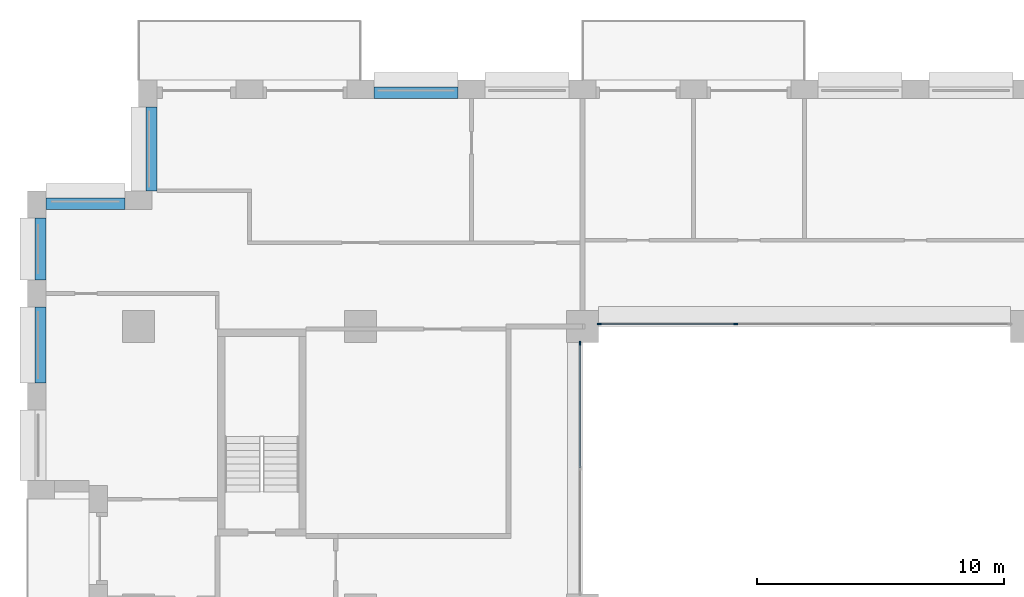
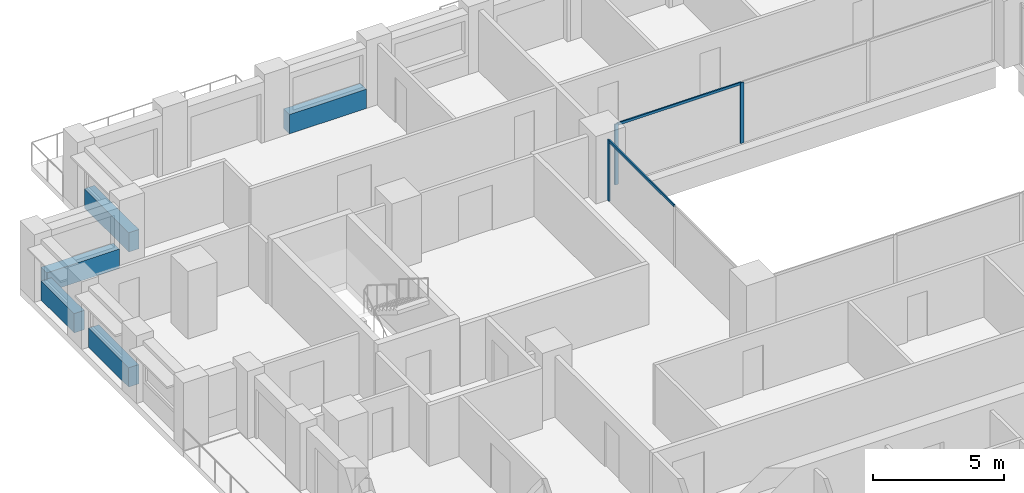
# One storey, part 5 of 16: 5 beams, 5 members, 2 elements without a shape of their own.
"""IFC4 building model written with IfcOpenShell, lengths in metres."""

from ifc_helpers import new_model, si_unit, direction, frame, origin, origin_2d, place, context, subcontext, project, spatial, rectangle, extrude, material, layer, layer_set, material_profile, profile_set, type_object, element, aggregate, save


model = new_model("IFC4")

# Units and contexts
model_context = context("Model", 3, precision=1e-05, world=origin(), true_north=direction((0.0, 1.0)))
body_context = subcontext(model_context, "Body", "Model", "MODEL_VIEW")
ifc_project = project(units=[si_unit("LENGTHUNIT", "METRE"), si_unit("AREAUNIT", "SQUARE_METRE"), si_unit("VOLUMEUNIT", "CUBIC_METRE"), si_unit("PLANEANGLEUNIT", "RADIAN"), si_unit("MASSUNIT", "GRAM", prefix="KILO")], contexts=[model_context])

# Site, building, storey
site_placement = place(None, origin())
site = spatial("IfcSite", under=ifc_project, at=site_placement, CompositionType="ELEMENT")
building_placement = place(site_placement, origin())
building = spatial("IfcBuilding", under=site, at=building_placement, Name="Brigalow Station Residences", CompositionType="ELEMENT")
storey_placement = place(building_placement, frame((0.0, 0.0, 115.050048828125)))
storey = spatial("IfcBuildingStorey", under=building, at=storey_placement, Name="L33", CompositionType="ELEMENT", Elevation=115.050048828125)

# Curtain wall, members
ifc_material_1 = material(Name="Aluminium", Category="aluminium")
ifc_layer = layer(ifc_material_1, 0.14990234375)
ifc_layer_set = layer_set([ifc_layer], Name="ATRIUM FIRE-RATED GLAZING CURTAIN WALL")
curtain_wall_type = type_object("IfcCurtainWallType", Name="ATRIUM FIRE-RATED GLAZING CURTAIN WALL", PredefinedType="NOTDEFINED", material=ifc_layer_set)
curtain_wall_1_placement = place(storey_placement, origin())
curtain_wall_1 = element("IfcCurtainWall", 1, at=curtain_wall_1_placement, inside=storey, type_object=curtain_wall_type, Name="L33/cw/atrium-N", PredefinedType="NOTDEFINED")
ifc_material_2 = material(Name="Aluminium", Category="aluminium")
ifc_material_profile_1 = material_profile(ifc_material_2, rectangle(XDim=0.06005859375, YDim=0.14990234375, at=origin_2d()), Name="ATRIUM FIRE-RATED GLAZING MULLION 60x150")
ifc_profile_set_1 = profile_set([ifc_material_profile_1], Name="Aluminium")
member_type_1 = type_object("IfcMemberType", Name="ATRIUM FIRE-RATED GLAZING MULLION 60x150", PredefinedType="MULLION", material=ifc_profile_set_1)
member_1_placement = place(storey_placement, frame((33.216796875, 35.60009765625, 0.0), z_axis=(0.0, 0.0, 1.0), x_axis=(0.0, -1.0, 0.0)))
member_1 = element("IfcMember", 2, at=member_1_placement, type_object=member_type_1, Name="L33/cw/atrium-N/M02", PredefinedType="MULLION", context=body_context, shape_type="SweptSolid", body=[
    extrude(rectangle(XDim=0.06005859375, YDim=0.14990234375, at=origin_2d()), origin(), (0.0, 0.0, 1.0), 2.829833984375),
])
member_2_placement = place(storey_placement, frame((27.679931640625, 35.60009765625, 0.0), z_axis=(0.0, 0.0, 1.0), x_axis=(0.0, -1.0, 0.0)))
member_2 = element("IfcMember", 3, at=member_2_placement, type_object=member_type_1, Name="L33/cw/atrium-N/M03", PredefinedType="MULLION", context=body_context, shape_type="SweptSolid", body=[
    extrude(rectangle(XDim=0.06005859375, YDim=0.14990234375, at=origin_2d()), origin(), (0.0, 0.0, 1.0), 2.829833984375),
])

# Curtain wall, member
curtain_wall_2_placement = place(storey_placement, origin())
curtain_wall_2 = element("IfcCurtainWall", 4, at=curtain_wall_2_placement, inside=storey, type_object=curtain_wall_type, Name="L33/cw/atrium-W", PredefinedType="NOTDEFINED")
member_3_placement = place(storey_placement, frame((26.89990234375, 34.820068359375, 0.0), z_axis=(0.0, 0.0, 1.0), x_axis=(1.0, 0.0, 0.0)))
member_3 = element("IfcMember", 5, at=member_3_placement, type_object=member_type_1, Name="L33/cw/atrium-W/M00", PredefinedType="MULLION", context=body_context, shape_type="SweptSolid", body=[
    extrude(rectangle(XDim=0.06005859375, YDim=0.14990234375, at=origin_2d()), origin(), (0.0, 0.0, 1.0), 2.829833984375),
])

# Member
ifc_material_3 = material(Name="Aluminium", Category="aluminium")
ifc_material_profile_2 = material_profile(ifc_material_3, rectangle(XDim=0.06005859375, YDim=0.1201171875, at=origin_2d()), Name="ATRIUM FIRE-RATED GLAZING TRANSOM 60x120")
ifc_profile_set_2 = profile_set([ifc_material_profile_2], Name="Aluminium")
member_type_2 = type_object("IfcMemberType", Name="ATRIUM FIRE-RATED GLAZING TRANSOM 60x120", PredefinedType="USERDEFINED", material=ifc_profile_set_2)
member_4_placement = place(storey_placement, frame((33.186767578125, 35.60009765625, 2.800048828125), z_axis=(-1.0, 0.0, 0.0), x_axis=(0.0, -1.0, 0.0)))
member_4 = element("IfcMember", 6, at=member_4_placement, type_object=member_type_2, Name="L33/cw/atrium-N/T02-00", ObjectType="TRANSOM", PredefinedType="USERDEFINED", context=body_context, shape_type="SweptSolid", body=[
    extrude(rectangle(XDim=0.06005859375, YDim=0.1201171875, at=origin_2d()), origin(), (0.0, 0.0, 1.0), 5.476806640625),
])

aggregate(curtain_wall_1, [member_1, member_2, member_4])

member_5_placement = place(storey_placement, frame((26.89990234375, 34.7900390625, 2.800048828125), z_axis=(0.0, -1.0, 0.0), x_axis=(1.0, 0.0, 0.0)))
member_5 = element("IfcMember", 7, at=member_5_placement, type_object=member_type_2, Name="L33/cw/atrium-W/T00-00", ObjectType="TRANSOM", PredefinedType="USERDEFINED", context=body_context, shape_type="SweptSolid", body=[
    extrude(rectangle(XDim=0.06005859375, YDim=0.1201171875, at=origin_2d()), origin(), (0.0, 0.0, 1.0), 5.010009765625),
])

aggregate(curtain_wall_2, [member_3, member_5])

# Beams
ifc_material_4 = material(Name="Concrete C65", Category="concrete")
ifc_material_profile_3 = material_profile(ifc_material_4, rectangle(XDim=0.449951171875, YDim=0.89990234375, at=origin_2d()), Name="RC450x900")
ifc_profile_set_3 = profile_set([ifc_material_profile_3], Name="Concrete C65")
beam_type = type_object("IfcBeamType", Name="SPANDREL BEAM 450x900 C65", PredefinedType="SPANDREL", material=ifc_profile_set_3)
for number, where, z_axis, x_axis, name in (
    (8, (21.949951171875, 44.97509765625, 0.449951171875), (-1.0, 0.0, 0.0), (0.0, -1.0, 0.0), "L33/spandrel/W-L33-34"),
    (9, (9.52490234375, 44.39990234375, 0.449951171875), (0.0, -1.0, 0.0), (1.0, 0.0, 0.0), "L33/spandrel/W-L33-37"),
):
    element("IfcBeam", number, at=place(storey_placement, frame(where, z_axis=z_axis, x_axis=x_axis)), inside=storey, type_object=beam_type, Name=name, PredefinedType="SPANDREL", context=body_context, shape_type="SweptSolid", body=[
        extrude(rectangle(XDim=0.449951171875, YDim=0.89990234375, at=origin_2d()), origin(), (0.0, 0.0, 1.0), 3.39990234375),
    ])
beam_1_placement = place(storey_placement, frame((8.449951171875, 40.47509765625, 0.449951171875), z_axis=(-1.0, 0.0, 0.0), x_axis=(0.0, -1.0, 0.0)))
element("IfcBeam", 10, at=beam_1_placement, inside=storey, type_object=beam_type, Name="L33/spandrel/W-L33-38", PredefinedType="SPANDREL", context=body_context, shape_type="SweptSolid", body=[
    extrude(rectangle(XDim=0.449951171875, YDim=0.89990234375, at=origin_2d()), origin(), (0.0, 0.0, 1.0), 3.199951171875),
])
beam_2_placement = place(storey_placement, frame((5.02490234375, 39.89990234375, 0.449951171875), z_axis=(0.0, -1.0, 0.0), x_axis=(1.0, 0.0, 0.0)))
element("IfcBeam", 11, at=beam_2_placement, inside=storey, type_object=beam_type, Name="L33/spandrel/W-L33-39", PredefinedType="SPANDREL", context=body_context, shape_type="SweptSolid", body=[
    extrude(rectangle(XDim=0.449951171875, YDim=0.89990234375, at=origin_2d()), origin(), (0.0, 0.0, 1.0), 2.516845703125),
])
beam_3_placement = place(storey_placement, frame((5.02490234375, 36.282958984375, 0.449951171875), z_axis=(0.0, -1.0, 0.0), x_axis=(1.0, 0.0, 0.0)))
element("IfcBeam", 12, at=beam_3_placement, inside=storey, type_object=beam_type, Name="L33/spandrel/W-L33-40", PredefinedType="SPANDREL", context=body_context, shape_type="SweptSolid", body=[
    extrude(rectangle(XDim=0.449951171875, YDim=0.89990234375, at=origin_2d()), origin(), (0.0, 0.0, 1.0), 3.06591796875),
])

save(model, "model.ifc")
